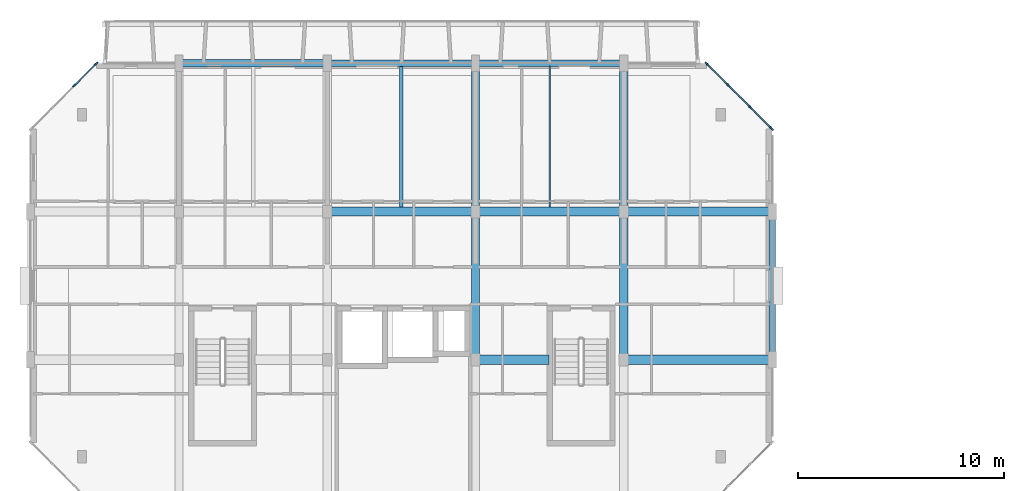
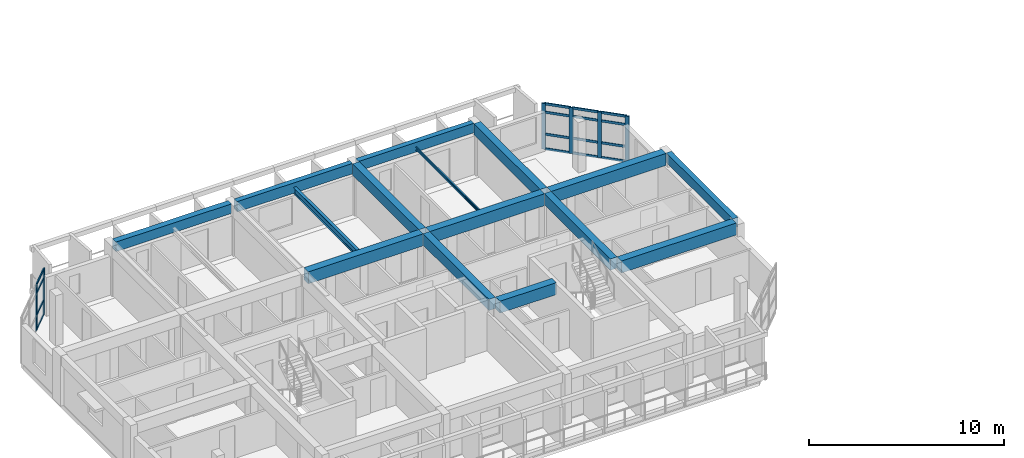
# One storey, part 6 of 45: 22 members, 15 beams, 2 elements without a shape of their own.
"""IFC4 building model written with IfcOpenShell, lengths in metres."""

from ifc_helpers import new_model, si_unit, direction, frame, origin, origin_2d, place, context, subcontext, project, spatial, rectangle, i_section, u_section, extrude, material, layer, layer_set, material_profile, profile_set, type_object, element, aggregate, save


model = new_model("IFC4")

# Units and contexts
model_context = context("Model", 3, precision=1e-05, world=origin(), true_north=direction((0.0, 1.0)))
body_context = subcontext(model_context, "Body", "Model", "MODEL_VIEW")
ifc_project = project(units=[si_unit("LENGTHUNIT", "METRE"), si_unit("AREAUNIT", "SQUARE_METRE"), si_unit("VOLUMEUNIT", "CUBIC_METRE"), si_unit("PLANEANGLEUNIT", "RADIAN"), si_unit("MASSUNIT", "GRAM", prefix="KILO")], contexts=[model_context])

# Site, building, storey
site_placement = place(None, origin())
site = spatial("IfcSite", under=ifc_project, at=site_placement, CompositionType="ELEMENT")
building_placement = place(site_placement, origin())
building = spatial("IfcBuilding", under=site, at=building_placement, Name="Ochrevale Crest", CompositionType="ELEMENT")
storey_placement = place(building_placement, frame((0.0, 0.0, 18.14990234375)))
storey = spatial("IfcBuildingStorey", under=building, at=storey_placement, Name="L05", CompositionType="ELEMENT", Elevation=18.14990234375)

# Beams
ifc_material_1 = material(Name="Precast concrete C50/60", Category="concrete")
ifc_material_profile_1 = material_profile(ifc_material_1, rectangle(XDim=0.39990234375, YDim=0.699951171875, at=origin_2d()), Name="PC 400x700")
ifc_profile_set_1 = profile_set([ifc_material_profile_1], Name="Precast concrete C50/60")
beam_type_1 = type_object("IfcBeamType", Name="BM-PC400x700", PredefinedType="BEAM", material=ifc_profile_set_1)
beam_1_placement = place(storey_placement, frame((21.60009765625, 79.405029296875, 2.800048828125), z_axis=(0.0, 1.0, 0.0), x_axis=(-1.0, 0.0, 0.0)))
element("IfcBeam", 1, at=beam_1_placement, inside=storey, type_object=beam_type_1, Name="Block B L05 N-S beam X=21.6", PredefinedType="BEAM", context=body_context, shape_type="SweptSolid", body=[
    extrude(rectangle(XDim=0.39990234375, YDim=0.699951171875, at=origin_2d()), origin(), (0.0, 0.0, 1.0), 6.7900390625),
])
beam_2_placement = place(storey_placement, frame((21.60009765625, 86.60498046875, 2.800048828125), z_axis=(0.0, 1.0, 0.0), x_axis=(-1.0, 0.0, 0.0)))
element("IfcBeam", 2, at=beam_2_placement, inside=storey, type_object=beam_type_1, Name="Block B L05 N-S beam X=21.6", PredefinedType="BEAM", context=body_context, shape_type="SweptSolid", body=[
    extrude(rectangle(XDim=0.39990234375, YDim=0.699951171875, at=origin_2d()), origin(), (0.0, 0.0, 1.0), 6.81494140625),
])
beam_3_placement = place(storey_placement, frame((28.800048828125, 79.405029296875, 2.800048828125), z_axis=(0.0, 1.0, 0.0), x_axis=(-1.0, 0.0, 0.0)))
element("IfcBeam", 3, at=beam_3_placement, inside=storey, type_object=beam_type_1, Name="Block B L05 N-S beam X=28.8", PredefinedType="BEAM", context=body_context, shape_type="SweptSolid", body=[
    extrude(rectangle(XDim=0.39990234375, YDim=0.699951171875, at=origin_2d()), origin(), (0.0, 0.0, 1.0), 6.7900390625),
])
beam_4_placement = place(storey_placement, frame((28.800048828125, 86.60498046875, 2.800048828125), z_axis=(0.0, 1.0, 0.0), x_axis=(-1.0, 0.0, 0.0)))
element("IfcBeam", 4, at=beam_4_placement, inside=storey, type_object=beam_type_1, Name="Block B L05 N-S beam X=28.8", PredefinedType="BEAM", context=body_context, shape_type="SweptSolid", body=[
    extrude(rectangle(XDim=0.39990234375, YDim=0.699951171875, at=origin_2d()), origin(), (0.0, 0.0, 1.0), 6.81494140625),
])
ifc_material_2 = material(Name="Steel S355", Category="steel")
ifc_material_profile_2 = material_profile(ifc_material_2, u_section(Depth=0.199951171875, FlangeWidth=0.074951171875, WebThickness=0.006103515625, FlangeThickness=0.011962890625, FilletRadius=0.011962890625, at=origin_2d()), Name="200PFC")
ifc_profile_set_2 = profile_set([ifc_material_profile_2], Name="Steel S355")
beam_type_2 = type_object("IfcBeamType", Name="BM-PFC200", PredefinedType="JOIST", material=ifc_profile_set_2)
beam_5_placement = place(storey_placement, frame((25.199951171875, 86.613037109375, 2.775146484375), z_axis=(0.0, 1.0, 0.0), x_axis=(-1.0, 0.0, 0.0)))
element("IfcBeam", 5, at=beam_5_placement, inside=storey, type_object=beam_type_2, Name="Block B L05 composite plank trimmer beam 4", PredefinedType="JOIST", context=body_context, shape_type="SweptSolid", body=[
    extrude(u_section(Depth=0.199951171875, FlangeWidth=0.074951171875, WebThickness=0.006103515625, FlangeThickness=0.011962890625, FilletRadius=0.011962890625, at=origin_2d()), origin(), (0.0, 0.0, 1.0), 6.848876953125),
])
ifc_material_3 = material(Name="Concrete C50/60", Category="concrete")
ifc_material_profile_3 = material_profile(ifc_material_3, rectangle(XDim=0.449951171875, YDim=0.75, at=origin_2d()), Name="RC 450x750")
ifc_profile_set_3 = profile_set([ifc_material_profile_3], Name="Concrete C50/60")
beam_type_3 = type_object("IfcBeamType", Name="BM-PG450x750", PredefinedType="USERDEFINED", material=ifc_profile_set_3)
beam_6_placement = place(storey_placement, frame((21.800048828125, 79.199951171875, 2.775146484375), z_axis=(1.0, 0.0, 0.0), x_axis=(0.0, 1.0, 0.0)))
element("IfcBeam", 6, at=beam_6_placement, inside=storey, type_object=beam_type_3, Name="Block B L05 E-W beam Y=79.2", ObjectType="GIRDER", PredefinedType="USERDEFINED", context=body_context, shape_type="SweptSolid", body=[
    extrude(rectangle(XDim=0.449951171875, YDim=0.75, at=origin_2d()), origin(), (0.0, 0.0, 1.0), 3.35986328125),
])
beam_7_placement = place(storey_placement, frame((29.0, 79.199951171875, 2.775146484375), z_axis=(1.0, 0.0, 0.0), x_axis=(0.0, 1.0, 0.0)))
element("IfcBeam", 7, at=beam_7_placement, inside=storey, type_object=beam_type_3, Name="Block B L05 E-W beam Y=79.2", ObjectType="GIRDER", PredefinedType="USERDEFINED", context=body_context, shape_type="SweptSolid", body=[
    extrude(rectangle(XDim=0.449951171875, YDim=0.75, at=origin_2d()), origin(), (0.0, 0.0, 1.0), 6.824951171875),
])
beam_8_placement = place(storey_placement, frame((14.60009765625, 86.39990234375, 2.775146484375), z_axis=(1.0, 0.0, 0.0), x_axis=(0.0, 1.0, 0.0)))
element("IfcBeam", 8, at=beam_8_placement, inside=storey, type_object=beam_type_3, Name="Block B L05 E-W beam Y=86.4", ObjectType="GIRDER", PredefinedType="USERDEFINED", context=body_context, shape_type="SweptSolid", body=[
    extrude(rectangle(XDim=0.449951171875, YDim=0.75, at=origin_2d()), origin(), (0.0, 0.0, 1.0), 6.7998046875),
])
beam_9_placement = place(storey_placement, frame((21.800048828125, 86.39990234375, 2.775146484375), z_axis=(1.0, 0.0, 0.0), x_axis=(0.0, 1.0, 0.0)))
element("IfcBeam", 9, at=beam_9_placement, inside=storey, type_object=beam_type_3, Name="Block B L05 E-W beam Y=86.4", ObjectType="GIRDER", PredefinedType="USERDEFINED", context=body_context, shape_type="SweptSolid", body=[
    extrude(rectangle(XDim=0.449951171875, YDim=0.75, at=origin_2d()), origin(), (0.0, 0.0, 1.0), 6.800048828125),
])
beam_10_placement = place(storey_placement, frame((29.0, 86.39990234375, 2.775146484375), z_axis=(1.0, 0.0, 0.0), x_axis=(0.0, 1.0, 0.0)))
element("IfcBeam", 10, at=beam_10_placement, inside=storey, type_object=beam_type_3, Name="Block B L05 E-W beam Y=86.4", ObjectType="GIRDER", PredefinedType="USERDEFINED", context=body_context, shape_type="SweptSolid", body=[
    extrude(rectangle(XDim=0.449951171875, YDim=0.75, at=origin_2d()), origin(), (0.0, 0.0, 1.0), 6.824951171875),
])
ifc_material_4 = material(Name="Precast concrete C40/50", Category="concrete")
ifc_material_profile_4 = material_profile(ifc_material_4, rectangle(XDim=0.300048828125, YDim=0.60009765625, at=origin_2d()), Name="PC 300x600")
ifc_profile_set_4 = profile_set([ifc_material_profile_4], Name="Precast concrete C40/50")
beam_type_4 = type_object("IfcBeamType", Name="BM-SP300x600", PredefinedType="SPANDREL", material=ifc_profile_set_4)
beam_11_placement = place(storey_placement, frame((21.77490234375, 93.60009765625, 2.85009765625), z_axis=(1.0, 0.0, 0.0), x_axis=(0.0, 1.0, 0.0)))
element("IfcBeam", 11, at=beam_11_placement, inside=storey, type_object=beam_type_4, Name="Block B L05 E-W beam Y=93.6", PredefinedType="SPANDREL", context=body_context, shape_type="SweptSolid", body=[
    extrude(rectangle(XDim=0.300048828125, YDim=0.60009765625, at=origin_2d()), origin(), (0.0, 0.0, 1.0), 6.85009765625),
])
beam_12_placement = place(storey_placement, frame((36.0, 79.3798828125, 2.85009765625), z_axis=(0.0, 1.0, 0.0), x_axis=(-1.0, 0.0, 0.0)))
element("IfcBeam", 12, at=beam_12_placement, inside=storey, type_object=beam_type_4, Name="Block B L05 N-S beam X=36.0", PredefinedType="SPANDREL", context=body_context, shape_type="SweptSolid", body=[
    extrude(rectangle(XDim=0.300048828125, YDim=0.60009765625, at=origin_2d()), origin(), (0.0, 0.0, 1.0), 6.840087890625),
])
ifc_material_profile_5 = material_profile(ifc_material_4, rectangle(XDim=0.300048828125, YDim=0.64990234375, at=origin_2d()), Name="PC 300x650")
ifc_profile_set_5 = profile_set([ifc_material_profile_5], Name="Precast concrete C40/50")
beam_type_5 = type_object("IfcBeamType", Name="BM-SP300x650", PredefinedType="SPANDREL", material=ifc_profile_set_5)
beam_13_placement = place(storey_placement, frame((14.574951171875, 93.60009765625, 2.8251953125), z_axis=(1.0, 0.0, 0.0), x_axis=(0.0, 1.0, 0.0)))
element("IfcBeam", 13, at=beam_13_placement, inside=storey, type_object=beam_type_5, Name="Block B L05 E-W beam Y=93.6", PredefinedType="SPANDREL", context=body_context, shape_type="SweptSolid", body=[
    extrude(rectangle(XDim=0.300048828125, YDim=0.64990234375, at=origin_2d()), origin(), (0.0, 0.0, 1.0), 6.85009765625),
])
ifc_material_profile_6 = material_profile(ifc_material_4, rectangle(XDim=0.35009765625, YDim=0.60009765625, at=origin_2d()), Name="PC 350x600")
ifc_profile_set_6 = profile_set([ifc_material_profile_6], Name="Precast concrete C40/50")
beam_type_6 = type_object("IfcBeamType", Name="BM-SP350x600", PredefinedType="SPANDREL", material=ifc_profile_set_6)
beam_14_placement = place(storey_placement, frame((7.375, 93.60009765625, 2.85009765625), z_axis=(1.0, 0.0, 0.0), x_axis=(0.0, 1.0, 0.0)))
element("IfcBeam", 14, at=beam_14_placement, inside=storey, type_object=beam_type_6, Name="Block B L05 E-W beam Y=93.6", PredefinedType="SPANDREL", context=body_context, shape_type="SweptSolid", body=[
    extrude(rectangle(XDim=0.35009765625, YDim=0.60009765625, at=origin_2d()), origin(), (0.0, 0.0, 1.0), 6.85009765625),
])
ifc_material_profile_7 = material_profile(ifc_material_2, i_section(OverallWidth=0.177734375, OverallDepth=0.402587890625, WebThickness=0.007568359375, FlangeThickness=0.010986328125, FilletRadius=0.011474609375, at=origin_2d()), Name="410UB53.7")
ifc_profile_set_7 = profile_set([ifc_material_profile_7], Name="Steel S355")
beam_type_7 = type_object("IfcBeamType", Name="BM-UB410A", PredefinedType="BEAM", material=ifc_profile_set_7)
beam_15_placement = place(storey_placement, frame((18.0, 86.613037109375, 2.673828125), z_axis=(0.0, 1.0, 0.0), x_axis=(-1.0, 0.0, 0.0)))
element("IfcBeam", 15, at=beam_15_placement, inside=storey, type_object=beam_type_7, Name="Block B L05 composite plank trimmer beam 3", PredefinedType="BEAM", context=body_context, shape_type="SweptSolid", body=[
    extrude(i_section(OverallWidth=0.177734375, OverallDepth=0.402587890625, WebThickness=0.007568359375, FlangeThickness=0.010986328125, FilletRadius=0.011474609375, at=origin_2d()), origin(), (0.0, 0.0, 1.0), 6.848876953125),
])

# Curtain wall, members
ifc_material_5 = material(Name="Anodised aluminium 6063-T5", Category="aluminium")
ifc_layer_1 = layer(ifc_material_5, 0.14990234375)
ifc_layer_set_1 = layer_set([ifc_layer_1], Name="Anodised aluminium 6063-T5")
curtain_wall_type_1 = type_object("IfcCurtainWallType", Name="CW-WG-420x285", PredefinedType="NOTDEFINED", material=ifc_layer_set_1)
curtain_wall_1_placement = place(storey_placement, origin())
curtain_wall_1 = element("IfcCurtainWall", 16, at=curtain_wall_1_placement, inside=storey, type_object=curtain_wall_type_1, Name="Block B L05 chamfered corner wintergarden curtain wall 4", PredefinedType="NOTDEFINED")
ifc_material_profile_8 = material_profile(ifc_material_5, rectangle(XDim=0.074951171875, YDim=0.219970703125, at=origin_2d()), Name="ALU 75x220")
ifc_profile_set_8 = profile_set([ifc_material_profile_8], Name="Anodised aluminium 6063-T5")
member_type_1 = type_object("IfcMemberType", Name="CW-MUL-75x220", PredefinedType="MULLION", material=ifc_profile_set_8)
member_1_placement = place(storey_placement, frame((35.973388671875, 90.426513671875, 0.0), z_axis=(0.0, 0.0, 1.0), x_axis=(-0.707106781187, -0.707106781187, 0.0)))
member_1 = element("IfcMember", 17, at=member_1_placement, type_object=member_type_1, Name="CW22 mullion 1", PredefinedType="MULLION", context=body_context, shape_type="SweptSolid", body=[
    extrude(rectangle(XDim=0.074951171875, YDim=0.219970703125, at=origin_2d()), origin(), (0.0, 0.0, 1.0), 2.875),
])
member_2_placement = place(storey_placement, frame((34.933349609375, 91.466552734375, 0.0), z_axis=(0.0, 0.0, 1.0), x_axis=(-0.707106781187, -0.707106781187, 0.0)))
member_2 = element("IfcMember", 18, at=member_2_placement, type_object=member_type_1, Name="CW22 mullion 2", PredefinedType="MULLION", context=body_context, shape_type="SweptSolid", body=[
    extrude(rectangle(XDim=0.074951171875, YDim=0.219970703125, at=origin_2d()), origin(), (0.0, 0.0, 1.0), 2.875),
])
member_3_placement = place(storey_placement, frame((33.86669921875, 92.533447265625, 0.0), z_axis=(0.0, 0.0, 1.0), x_axis=(-0.707106781187, -0.707106781187, 0.0)))
member_3 = element("IfcMember", 19, at=member_3_placement, type_object=member_type_1, Name="CW22 mullion 3", PredefinedType="MULLION", context=body_context, shape_type="SweptSolid", body=[
    extrude(rectangle(XDim=0.074951171875, YDim=0.219970703125, at=origin_2d()), origin(), (0.0, 0.0, 1.0), 2.875),
])
member_4_placement = place(storey_placement, frame((32.826416015625, 93.573486328125, 0.0), z_axis=(0.0, 0.0, 1.0), x_axis=(-0.707106781187, -0.707106781187, 0.0)))
member_4 = element("IfcMember", 20, at=member_4_placement, type_object=member_type_1, Name="CW22 mullion 4", PredefinedType="MULLION", context=body_context, shape_type="SweptSolid", body=[
    extrude(rectangle(XDim=0.074951171875, YDim=0.219970703125, at=origin_2d()), origin(), (0.0, 0.0, 1.0), 2.875),
])

ifc_layer_2 = layer(ifc_material_5, 0.14990234375)
ifc_layer_set_2 = layer_set([ifc_layer_2], Name="Anodised aluminium 6063-T5")
curtain_wall_type_2 = type_object("IfcCurtainWallType", Name="CW-WG-280x285", PredefinedType="NOTDEFINED", material=ifc_layer_set_2)
curtain_wall_2_placement = place(storey_placement, origin())
curtain_wall_2 = element("IfcCurtainWall", 21, at=curtain_wall_2_placement, inside=storey, type_object=curtain_wall_type_2, Name="Block B L05 chamfered corner wintergarden curtain wall 6", PredefinedType="NOTDEFINED")
member_5_placement = place(storey_placement, frame((3.173583984375, 93.573486328125, 0.0), z_axis=(0.0, 0.0, 1.0), x_axis=(0.707106781187, -0.707106781187, 0.0)))
member_5 = element("IfcMember", 22, at=member_5_placement, type_object=member_type_1, Name="CW16 mullion 1", PredefinedType="MULLION", context=body_context, shape_type="SweptSolid", body=[
    extrude(rectangle(XDim=0.074951171875, YDim=0.219970703125, at=origin_2d()), origin(), (0.0, 0.0, 1.0), 2.875),
])
member_6_placement = place(storey_placement, frame((2.13330078125, 92.533447265625, 0.0), z_axis=(0.0, 0.0, 1.0), x_axis=(0.707106781187, -0.707106781187, 0.0)))
member_6 = element("IfcMember", 23, at=member_6_placement, type_object=member_type_1, Name="CW16 mullion 2", PredefinedType="MULLION", context=body_context, shape_type="SweptSolid", body=[
    extrude(rectangle(XDim=0.074951171875, YDim=0.219970703125, at=origin_2d()), origin(), (0.0, 0.0, 1.0), 2.875),
])

# Member
ifc_material_profile_9 = material_profile(ifc_material_5, rectangle(XDim=0.06005859375, YDim=0.14990234375, at=origin_2d()), Name="ALU 60x150")
ifc_profile_set_9 = profile_set([ifc_material_profile_9], Name="Anodised aluminium 6063-T5")
member_type_2 = type_object("IfcMemberType", Name="CW-TRN-60x150", PredefinedType="USERDEFINED", material=ifc_profile_set_9)
member_7_placement = place(storey_placement, frame((35.947021484375, 90.453125, 0.030029296875), z_axis=(-0.707106781187, 0.707106781187, 0.0), x_axis=(-0.707106781187, -0.707106781187, 0.0)))
member_7 = element("IfcMember", 24, at=member_7_placement, type_object=member_type_2, Name="CW22 transom 1.1", ObjectType="TRANSOM", PredefinedType="USERDEFINED", context=body_context, shape_type="SweptSolid", body=[
    extrude(rectangle(XDim=0.06005859375, YDim=0.14990234375, at=origin_2d()), origin(), (0.0, 0.0, 1.0), 1.39599609375),
])

member_8_placement = place(storey_placement, frame((35.947021484375, 90.453125, 0.9501953125), z_axis=(-0.707106781187, 0.707106781187, 0.0), x_axis=(-0.707106781187, -0.707106781187, 0.0)))
member_8 = element("IfcMember", 25, at=member_8_placement, type_object=member_type_2, Name="CW22 transom 1.2", ObjectType="TRANSOM", PredefinedType="USERDEFINED", context=body_context, shape_type="SweptSolid", body=[
    extrude(rectangle(XDim=0.06005859375, YDim=0.14990234375, at=origin_2d()), origin(), (0.0, 0.0, 1.0), 1.39599609375),
])

member_9_placement = place(storey_placement, frame((35.947021484375, 90.453125, 2.3251953125), z_axis=(-0.707106781187, 0.707106781187, 0.0), x_axis=(-0.707106781187, -0.707106781187, 0.0)))
member_9 = element("IfcMember", 26, at=member_9_placement, type_object=member_type_2, Name="CW22 transom 1.3", ObjectType="TRANSOM", PredefinedType="USERDEFINED", context=body_context, shape_type="SweptSolid", body=[
    extrude(rectangle(XDim=0.06005859375, YDim=0.14990234375, at=origin_2d()), origin(), (0.0, 0.0, 1.0), 1.39599609375),
])

member_10_placement = place(storey_placement, frame((35.947021484375, 90.453125, 2.84521484375), z_axis=(-0.707106781187, 0.707106781187, 0.0), x_axis=(-0.707106781187, -0.707106781187, 0.0)))
member_10 = element("IfcMember", 27, at=member_10_placement, type_object=member_type_2, Name="CW22 transom 1.4", ObjectType="TRANSOM", PredefinedType="USERDEFINED", context=body_context, shape_type="SweptSolid", body=[
    extrude(rectangle(XDim=0.06005859375, YDim=0.14990234375, at=origin_2d()), origin(), (0.0, 0.0, 1.0), 1.39599609375),
])

member_11_placement = place(storey_placement, frame((34.90673828125, 91.4931640625, 0.030029296875), z_axis=(-0.707106781187, 0.707106781187, 0.0), x_axis=(-0.707106781187, -0.707106781187, 0.0)))
member_11 = element("IfcMember", 28, at=member_11_placement, type_object=member_type_2, Name="CW22 transom 2.1", ObjectType="TRANSOM", PredefinedType="USERDEFINED", context=body_context, shape_type="SweptSolid", body=[
    extrude(rectangle(XDim=0.06005859375, YDim=0.14990234375, at=origin_2d()), origin(), (0.0, 0.0, 1.0), 1.43359375),
])

member_12_placement = place(storey_placement, frame((34.90673828125, 91.4931640625, 0.9501953125), z_axis=(-0.707106781187, 0.707106781187, 0.0), x_axis=(-0.707106781187, -0.707106781187, 0.0)))
member_12 = element("IfcMember", 29, at=member_12_placement, type_object=member_type_2, Name="CW22 transom 2.2", ObjectType="TRANSOM", PredefinedType="USERDEFINED", context=body_context, shape_type="SweptSolid", body=[
    extrude(rectangle(XDim=0.06005859375, YDim=0.14990234375, at=origin_2d()), origin(), (0.0, 0.0, 1.0), 1.43359375),
])

member_13_placement = place(storey_placement, frame((34.90673828125, 91.4931640625, 2.3251953125), z_axis=(-0.707106781187, 0.707106781187, 0.0), x_axis=(-0.707106781187, -0.707106781187, 0.0)))
member_13 = element("IfcMember", 30, at=member_13_placement, type_object=member_type_2, Name="CW22 transom 2.3", ObjectType="TRANSOM", PredefinedType="USERDEFINED", context=body_context, shape_type="SweptSolid", body=[
    extrude(rectangle(XDim=0.06005859375, YDim=0.14990234375, at=origin_2d()), origin(), (0.0, 0.0, 1.0), 1.43359375),
])

member_14_placement = place(storey_placement, frame((34.90673828125, 91.4931640625, 2.84521484375), z_axis=(-0.707106781187, 0.707106781187, 0.0), x_axis=(-0.707106781187, -0.707106781187, 0.0)))
member_14 = element("IfcMember", 31, at=member_14_placement, type_object=member_type_2, Name="CW22 transom 2.4", ObjectType="TRANSOM", PredefinedType="USERDEFINED", context=body_context, shape_type="SweptSolid", body=[
    extrude(rectangle(XDim=0.06005859375, YDim=0.14990234375, at=origin_2d()), origin(), (0.0, 0.0, 1.0), 1.43359375),
])

member_15_placement = place(storey_placement, frame((33.840087890625, 92.559814453125, 0.030029296875), z_axis=(-0.707106781187, 0.707106781187, 0.0), x_axis=(-0.707106781187, -0.707106781187, 0.0)))
member_15 = element("IfcMember", 32, at=member_15_placement, type_object=member_type_2, Name="CW22 transom 3.1", ObjectType="TRANSOM", PredefinedType="USERDEFINED", context=body_context, shape_type="SweptSolid", body=[
    extrude(rectangle(XDim=0.06005859375, YDim=0.14990234375, at=origin_2d()), origin(), (0.0, 0.0, 1.0), 1.39599609375),
])

member_16_placement = place(storey_placement, frame((33.840087890625, 92.559814453125, 0.9501953125), z_axis=(-0.707106781187, 0.707106781187, 0.0), x_axis=(-0.707106781187, -0.707106781187, 0.0)))
member_16 = element("IfcMember", 33, at=member_16_placement, type_object=member_type_2, Name="CW22 transom 3.2", ObjectType="TRANSOM", PredefinedType="USERDEFINED", context=body_context, shape_type="SweptSolid", body=[
    extrude(rectangle(XDim=0.06005859375, YDim=0.14990234375, at=origin_2d()), origin(), (0.0, 0.0, 1.0), 1.39599609375),
])

member_17_placement = place(storey_placement, frame((33.840087890625, 92.559814453125, 2.3251953125), z_axis=(-0.707106781187, 0.707106781187, 0.0), x_axis=(-0.707106781187, -0.707106781187, 0.0)))
member_17 = element("IfcMember", 34, at=member_17_placement, type_object=member_type_2, Name="CW22 transom 3.3", ObjectType="TRANSOM", PredefinedType="USERDEFINED", context=body_context, shape_type="SweptSolid", body=[
    extrude(rectangle(XDim=0.06005859375, YDim=0.14990234375, at=origin_2d()), origin(), (0.0, 0.0, 1.0), 1.39599609375),
])

member_18_placement = place(storey_placement, frame((33.840087890625, 92.559814453125, 2.84521484375), z_axis=(-0.707106781187, 0.707106781187, 0.0), x_axis=(-0.707106781187, -0.707106781187, 0.0)))
member_18 = element("IfcMember", 35, at=member_18_placement, type_object=member_type_2, Name="CW22 transom 3.4", ObjectType="TRANSOM", PredefinedType="USERDEFINED", context=body_context, shape_type="SweptSolid", body=[
    extrude(rectangle(XDim=0.06005859375, YDim=0.14990234375, at=origin_2d()), origin(), (0.0, 0.0, 1.0), 1.39599609375),
])

aggregate(curtain_wall_1, [member_1, member_2, member_3, member_4, member_7, member_8, member_9, member_10, member_11, member_12, member_13, member_14, member_15, member_16, member_17, member_18])

member_19_placement = place(storey_placement, frame((3.14697265625, 93.546875, 0.030029296875), z_axis=(-0.707106781187, -0.707106781187, 0.0), x_axis=(0.707106781187, -0.707106781187, 0.0)))
member_19 = element("IfcMember", 36, at=member_19_placement, type_object=member_type_2, Name="CW16 transom 1.1", ObjectType="TRANSOM", PredefinedType="USERDEFINED", context=body_context, shape_type="SweptSolid", body=[
    extrude(rectangle(XDim=0.06005859375, YDim=0.14990234375, at=origin_2d()), origin(), (0.0, 0.0, 1.0), 1.39599609375),
])

member_20_placement = place(storey_placement, frame((3.14697265625, 93.546875, 0.9501953125), z_axis=(-0.707106781187, -0.707106781187, 0.0), x_axis=(0.707106781187, -0.707106781187, 0.0)))
member_20 = element("IfcMember", 37, at=member_20_placement, type_object=member_type_2, Name="CW16 transom 1.2", ObjectType="TRANSOM", PredefinedType="USERDEFINED", context=body_context, shape_type="SweptSolid", body=[
    extrude(rectangle(XDim=0.06005859375, YDim=0.14990234375, at=origin_2d()), origin(), (0.0, 0.0, 1.0), 1.39599609375),
])

member_21_placement = place(storey_placement, frame((3.14697265625, 93.546875, 2.3251953125), z_axis=(-0.707106781187, -0.707106781187, 0.0), x_axis=(0.707106781187, -0.707106781187, 0.0)))
member_21 = element("IfcMember", 38, at=member_21_placement, type_object=member_type_2, Name="CW16 transom 1.3", ObjectType="TRANSOM", PredefinedType="USERDEFINED", context=body_context, shape_type="SweptSolid", body=[
    extrude(rectangle(XDim=0.06005859375, YDim=0.14990234375, at=origin_2d()), origin(), (0.0, 0.0, 1.0), 1.39599609375),
])

member_22_placement = place(storey_placement, frame((3.14697265625, 93.546875, 2.84521484375), z_axis=(-0.707106781187, -0.707106781187, 0.0), x_axis=(0.707106781187, -0.707106781187, 0.0)))
member_22 = element("IfcMember", 39, at=member_22_placement, type_object=member_type_2, Name="CW16 transom 1.4", ObjectType="TRANSOM", PredefinedType="USERDEFINED", context=body_context, shape_type="SweptSolid", body=[
    extrude(rectangle(XDim=0.06005859375, YDim=0.14990234375, at=origin_2d()), origin(), (0.0, 0.0, 1.0), 1.39599609375),
])

aggregate(curtain_wall_2, [member_5, member_6, member_19, member_20, member_21, member_22])

save(model, "model.ifc")
